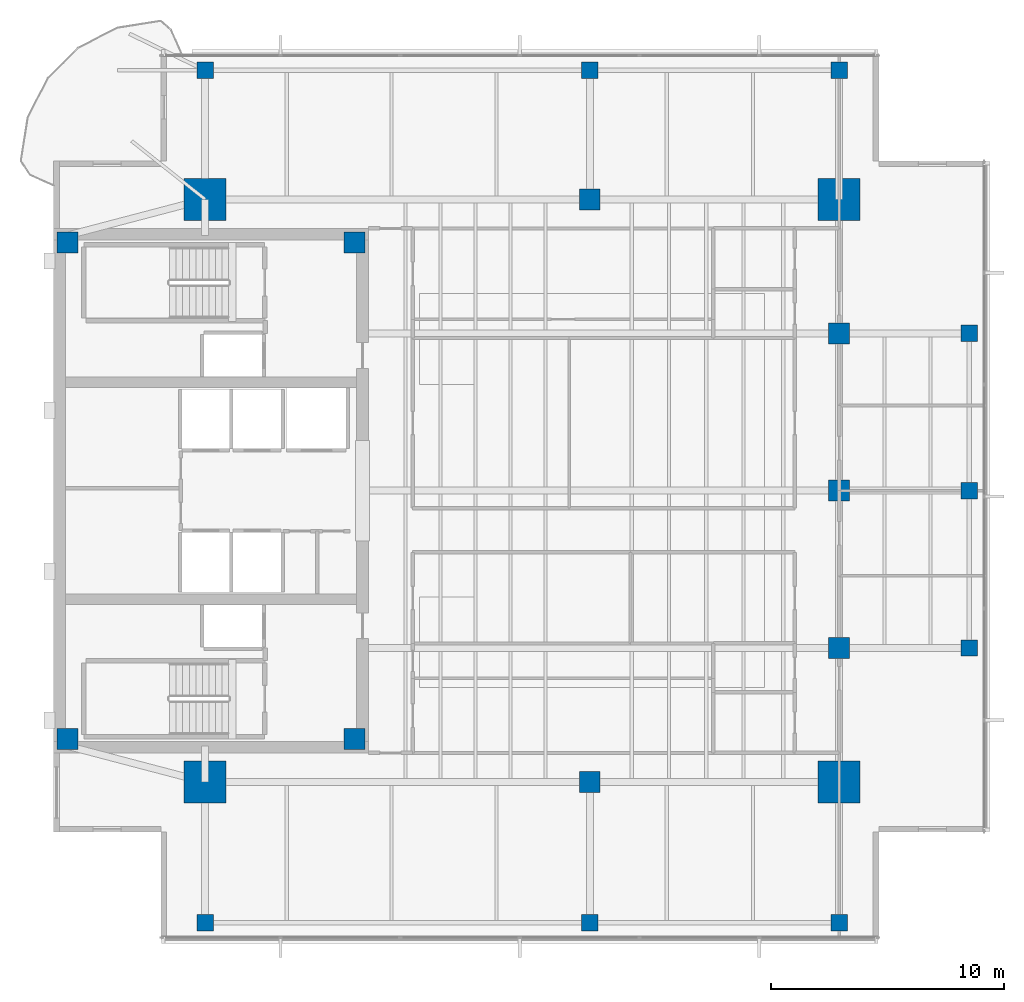
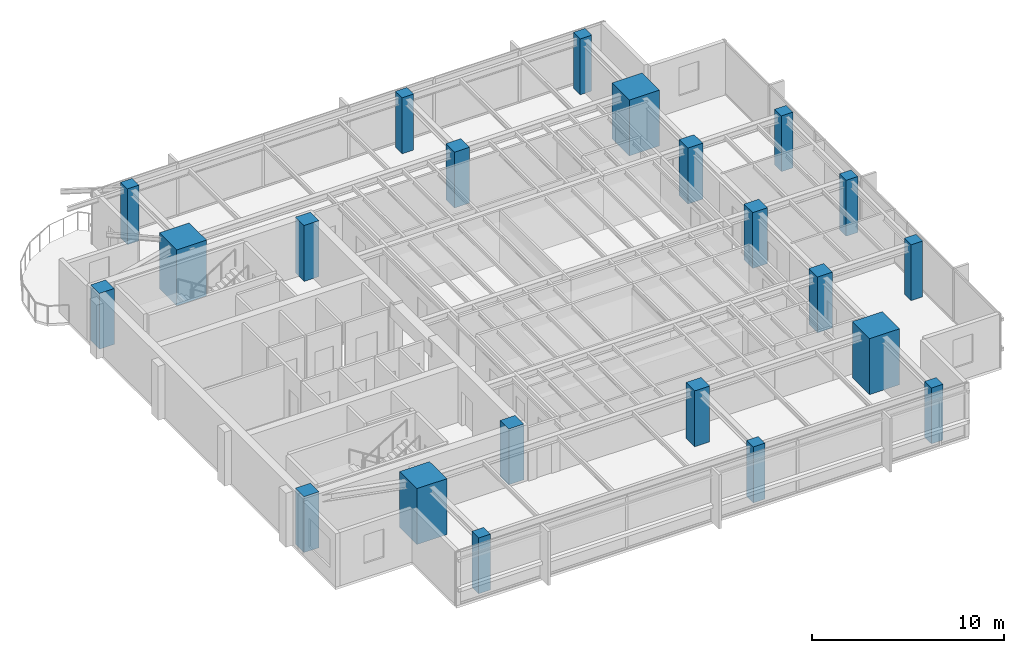
# One storey, part 1 of 14: 22 columns.
"""IFC4 building model written with IfcOpenShell, lengths in metres."""

from ifc_helpers import new_model, si_unit, direction, frame, origin, origin_2d, place, context, subcontext, project, spatial, rectangle, extrude, material, material_profile, profile_set, type_object, element, save


model = new_model("IFC4")

# Units and contexts
model_context = context("Model", 3, precision=1e-05, world=origin(), true_north=direction((0.0, 1.0)))
body_context = subcontext(model_context, "Body", "Model", "MODEL_VIEW")
ifc_project = project(units=[si_unit("LENGTHUNIT", "METRE"), si_unit("AREAUNIT", "SQUARE_METRE"), si_unit("VOLUMEUNIT", "CUBIC_METRE"), si_unit("PLANEANGLEUNIT", "RADIAN"), si_unit("MASSUNIT", "GRAM", prefix="KILO")], contexts=[model_context])

# Site, building, storey
site_placement = place(None, origin())
site = spatial("IfcSite", under=ifc_project, at=site_placement, CompositionType="ELEMENT")
building_placement = place(site_placement, origin())
building = spatial("IfcBuilding", under=site, at=building_placement, Name="Kinhvarn Gate Tower", CompositionType="ELEMENT")
storey_placement = place(building_placement, frame((0.0, 0.0, 249.25)))
storey = spatial("IfcBuildingStorey", under=building, at=storey_placement, Name="L66", CompositionType="ELEMENT", Elevation=249.25)

# Columns
ifc_material_1 = material(Name="Concrete C60/75", Category="concrete")
ifc_material_profile_1 = material_profile(ifc_material_1, rectangle(XDim=1.800048828125, YDim=1.800048828125, at=origin_2d()), Name="RC 1800x1800")
ifc_profile_set_1 = profile_set([ifc_material_profile_1], Name="Concrete C60/75")
column_type_1 = type_object("IfcColumnType", Name="COL-MC-1800", PredefinedType="COLUMN", material=ifc_profile_set_1)
for number, where, z_axis, x_axis, name in (
    (1, (11.0, 12.75, 0.0), (0.0, 0.0, 1.0), (1.0, 0.0, 0.0), "Column MC1-L66 (MC-18)"),
    (2, (11.0, 37.75, 0.0), (0.0, 0.0, 1.0), (1.0, 0.0, 0.0), "Column MC4-L66 (MC-18)"),
    (3, (38.199951171875, 12.75, 0.0), (0.0, 0.0, 1.0), (1.0, 0.0, 0.0), "Column MC2-L66 (MC-18)"),
    (4, (38.199951171875, 37.75, 0.0), (0.0, 0.0, 1.0), (1.0, 0.0, 0.0), "Column MC3-L66 (MC-18)"),
):
    element("IfcColumn", number, at=place(storey_placement, frame(where, z_axis=z_axis, x_axis=x_axis)), inside=storey, type_object=column_type_1, Name=name, PredefinedType="COLUMN", context=body_context, shape_type="SweptSolid", body=[
        extrude(rectangle(XDim=1.800048828125, YDim=1.800048828125, at=origin_2d()), origin(), (0.0, 0.0, 1.0), 3.550048828125),
    ])
ifc_material_2 = material(Name="Concrete C50/60", Category="concrete")
ifc_material_profile_2 = material_profile(ifc_material_2, rectangle(XDim=0.699951171875, YDim=0.699951171875, at=origin_2d()), Name="RC 700x700")
ifc_profile_set_2 = profile_set([ifc_material_profile_2], Name="Concrete C50/60")
column_type_2 = type_object("IfcColumnType", Name="COL-RC-700", PredefinedType="COLUMN", material=ifc_profile_set_2)
for number, where, z_axis, x_axis, name in (
    (5, (43.780029296875, 18.5, 0.0), (0.0, 0.0, 1.0), (1.0, 0.0, 0.0), "Column CE-1-L66 (C-070)"),
    (6, (43.780029296875, 25.25, 0.0), (0.0, 0.0, 1.0), (1.0, 0.0, 0.0), "Column CE-2-L66 (C-070)"),
    (7, (43.780029296875, 32.0, 0.0), (0.0, 0.0, 1.0), (1.0, 0.0, 0.0), "Column CE-3-L66 (C-070)"),
    (8, (11.0, 6.719970703125, 0.0), (0.0, 0.0, 1.0), (1.0, 0.0, 0.0), "Column CS-0-L66 (C-070)"),
    (9, (27.5, 6.719970703125, 0.0), (0.0, 0.0, 1.0), (1.0, 0.0, 0.0), "Column CS-1-L66 (C-070)"),
    (10, (38.199951171875, 6.719970703125, 0.0), (0.0, 0.0, 1.0), (1.0, 0.0, 0.0), "Column CS-2-L66 (C-070)"),
    (11, (11.0, 43.280029296875, 0.0), (0.0, 0.0, 1.0), (1.0, 0.0, 0.0), "Column CN-0-L66 (C-070)"),
    (12, (27.5, 43.280029296875, 0.0), (0.0, 0.0, 1.0), (1.0, 0.0, 0.0), "Column CN-1-L66 (C-070)"),
    (13, (38.199951171875, 43.280029296875, 0.0), (0.0, 0.0, 1.0), (1.0, 0.0, 0.0), "Column CN-2-L66 (C-070)"),
):
    element("IfcColumn", number, at=place(storey_placement, frame(where, z_axis=z_axis, x_axis=x_axis)), inside=storey, type_object=column_type_2, Name=name, PredefinedType="COLUMN", context=body_context, shape_type="SweptSolid", body=[
        extrude(rectangle(XDim=0.699951171875, YDim=0.699951171875, at=origin_2d()), origin(), (0.0, 0.0, 1.0), 3.550048828125),
    ])
ifc_material_profile_3 = material_profile(ifc_material_1, rectangle(XDim=0.89990234375, YDim=0.89990234375, at=origin_2d()), Name="RC 900x900")
ifc_profile_set_3 = profile_set([ifc_material_profile_3], Name="Concrete C60/75")
column_type_3 = type_object("IfcColumnType", Name="COL-RC-900", PredefinedType="COLUMN", material=ifc_profile_set_3)
for number, where, z_axis, x_axis, name in (
    (14, (27.5, 12.75, 0.0), (0.0, 0.0, 1.0), (1.0, 0.0, 0.0), "Column SP27-S-L66 (C-090)"),
    (15, (27.5, 37.75, 0.0), (0.0, 0.0, 1.0), (1.0, 0.0, 0.0), "Column SP27-N-L66 (C-090)"),
    (16, (38.199951171875, 18.5, 0.0), (0.0, 0.0, 1.0), (1.0, 0.0, 0.0), "Column SP38-E1-L66 (C-090)"),
    (17, (38.199951171875, 25.25, 0.0), (0.0, 0.0, 1.0), (1.0, 0.0, 0.0), "Column SP38-E2-L66 (C-090)"),
    (18, (38.199951171875, 32.0, 0.0), (0.0, 0.0, 1.0), (1.0, 0.0, 0.0), "Column SP38-E3-L66 (C-090)"),
):
    element("IfcColumn", number, at=place(storey_placement, frame(where, z_axis=z_axis, x_axis=x_axis)), inside=storey, type_object=column_type_3, Name=name, PredefinedType="COLUMN", context=body_context, shape_type="SweptSolid", body=[
        extrude(rectangle(XDim=0.89990234375, YDim=0.89990234375, at=origin_2d()), origin(), (0.0, 0.0, 1.0), 3.550048828125),
    ])
ifc_material_profile_4 = material_profile(ifc_material_2, rectangle(XDim=0.89990234375, YDim=0.89990234375, at=origin_2d()), Name="RC 900x900")
ifc_profile_set_4 = profile_set([ifc_material_profile_4], Name="Concrete C50/60")
column_type_4 = type_object("IfcColumnType", Name="PIL-RC-900", PredefinedType="PILASTER", material=ifc_profile_set_4)
for number, where, z_axis, x_axis, name in (
    (19, (5.10009765625, 14.60009765625, 0.0), (0.0, 0.0, 1.0), (1.0, 0.0, 0.0), "Column CC-SW-L66 (CP-090)"),
    (20, (5.10009765625, 35.89990234375, 0.0), (0.0, 0.0, 1.0), (1.0, 0.0, 0.0), "Column CC-NW-L66 (CP-090)"),
    (21, (17.39990234375, 14.60009765625, 0.0), (0.0, 0.0, 1.0), (1.0, 0.0, 0.0), "Column CC-SE-L66 (CP-090)"),
    (22, (17.39990234375, 35.89990234375, 0.0), (0.0, 0.0, 1.0), (1.0, 0.0, 0.0), "Column CC-NE-L66 (CP-090)"),
):
    element("IfcColumn", number, at=place(storey_placement, frame(where, z_axis=z_axis, x_axis=x_axis)), inside=storey, type_object=column_type_4, Name=name, PredefinedType="PILASTER", context=body_context, shape_type="SweptSolid", body=[
        extrude(rectangle(XDim=0.89990234375, YDim=0.89990234375, at=origin_2d()), origin(), (0.0, 0.0, 1.0), 3.550048828125),
    ])

save(model, "model.ifc")
